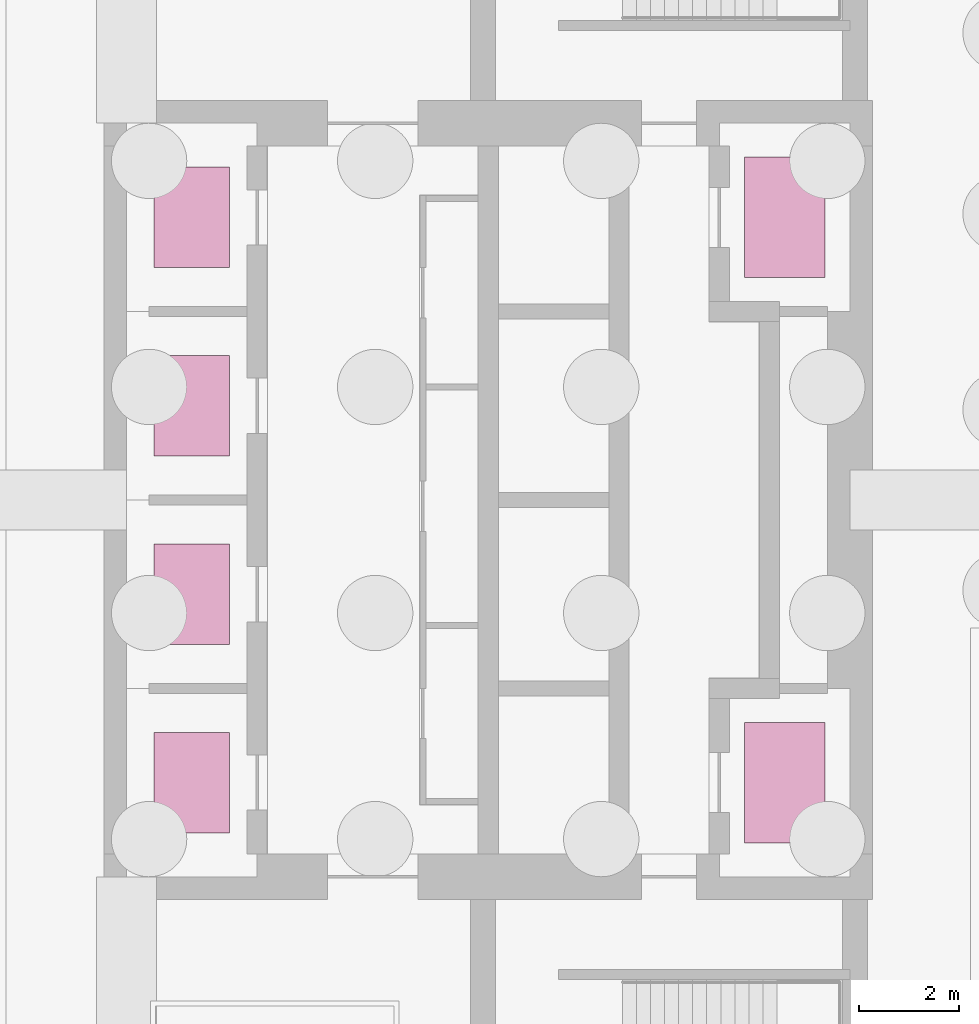
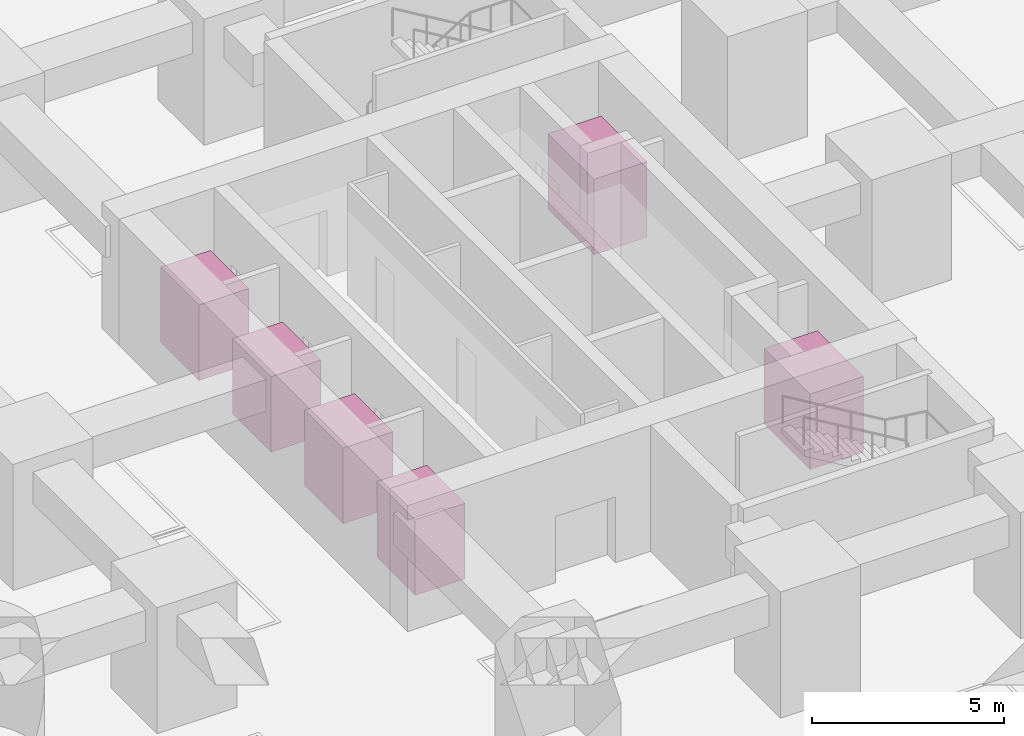
# One storey, part 10 of 10: 6 transport elements.
"""IFC4 building model written with IfcOpenShell, lengths in metres."""

from ifc_helpers import new_model, si_unit, direction, frame, origin, origin_2d, place, context, subcontext, project, spatial, rectangle, extrude, material, type_object, element, save


model = new_model("IFC4")

# Units and contexts
model_context = context("Model", 3, precision=1e-05, world=origin(), true_north=direction((0.0, 1.0)))
body_context = subcontext(model_context, "Body", "Model", "MODEL_VIEW")
ifc_project = project(units=[si_unit("LENGTHUNIT", "METRE"), si_unit("AREAUNIT", "SQUARE_METRE"), si_unit("VOLUMEUNIT", "CUBIC_METRE"), si_unit("PLANEANGLEUNIT", "RADIAN"), si_unit("MASSUNIT", "GRAM", prefix="KILO")], contexts=[model_context])

# Site, building, storey
site_placement = place(None, origin())
site = spatial("IfcSite", under=ifc_project, at=site_placement, CompositionType="ELEMENT")
building_placement = place(site_placement, origin())
building = spatial("IfcBuilding", under=site, at=building_placement, Name="Sheger Commons Tower", CompositionType="ELEMENT")
storey_placement = place(building_placement, frame((0.0, 0.0, -8.0)))
storey = spatial("IfcBuildingStorey", under=building, at=storey_placement, Name="B2", CompositionType="ELEMENT", Elevation=-8.0)

# Transport elements
ifc_material_1 = material(Name="Lift car, stainless steel", Category="steel")
transport_element_type_1 = type_object("IfcTransportElementType", Name="FIRE-FIGHTING LIFT CAR 1600x2400", PredefinedType="ELEVATOR", material=ifc_material_1)
for number, where, z_axis, x_axis, name in (
    (1, (27.5, 16.875, 0.0), (0.0, 0.0, 1.0), (1.0, 0.0, 0.0), "Lift FL1"),
    (2, (27.5, 28.125, 0.0), (0.0, 0.0, 1.0), (1.0, 0.0, 0.0), "Lift FL2"),
):
    element("IfcTransportElement", number, at=place(storey_placement, frame(where, z_axis=z_axis, x_axis=x_axis)), inside=storey, type_object=transport_element_type_1, Name=name, PredefinedType="ELEVATOR", context=body_context, shape_type="SweptSolid", body=[
        extrude(rectangle(XDim=1.60009765625, YDim=2.39990234375, at=origin_2d()), origin(), (0.0, 0.0, 1.0), 2.39990234375),
    ])
ifc_material_2 = material(Name="Lift car, stainless steel", Category="steel")
transport_element_type_2 = type_object("IfcTransportElementType", Name="LIFT CAR 2000x1500", PredefinedType="ELEVATOR", material=ifc_material_2)
for number, where, z_axis, x_axis, name in (
    (3, (15.699951171875, 16.875, 0.0), (0.0, 0.0, 1.0), (1.0, 0.0, 0.0), "Lift LA1"),
    (4, (15.699951171875, 20.625, 0.0), (0.0, 0.0, 1.0), (1.0, 0.0, 0.0), "Lift LA2"),
    (5, (15.699951171875, 24.375, 0.0), (0.0, 0.0, 1.0), (1.0, 0.0, 0.0), "Lift LA3"),
    (6, (15.699951171875, 28.125, 0.0), (0.0, 0.0, 1.0), (1.0, 0.0, 0.0), "Lift LA4"),
):
    element("IfcTransportElement", number, at=place(storey_placement, frame(where, z_axis=z_axis, x_axis=x_axis)), inside=storey, type_object=transport_element_type_2, Name=name, PredefinedType="ELEVATOR", context=body_context, shape_type="SweptSolid", body=[
        extrude(rectangle(XDim=1.5, YDim=2.0, at=origin_2d()), origin(), (0.0, 0.0, 1.0), 2.39990234375),
    ])

save(model, "model.ifc")
